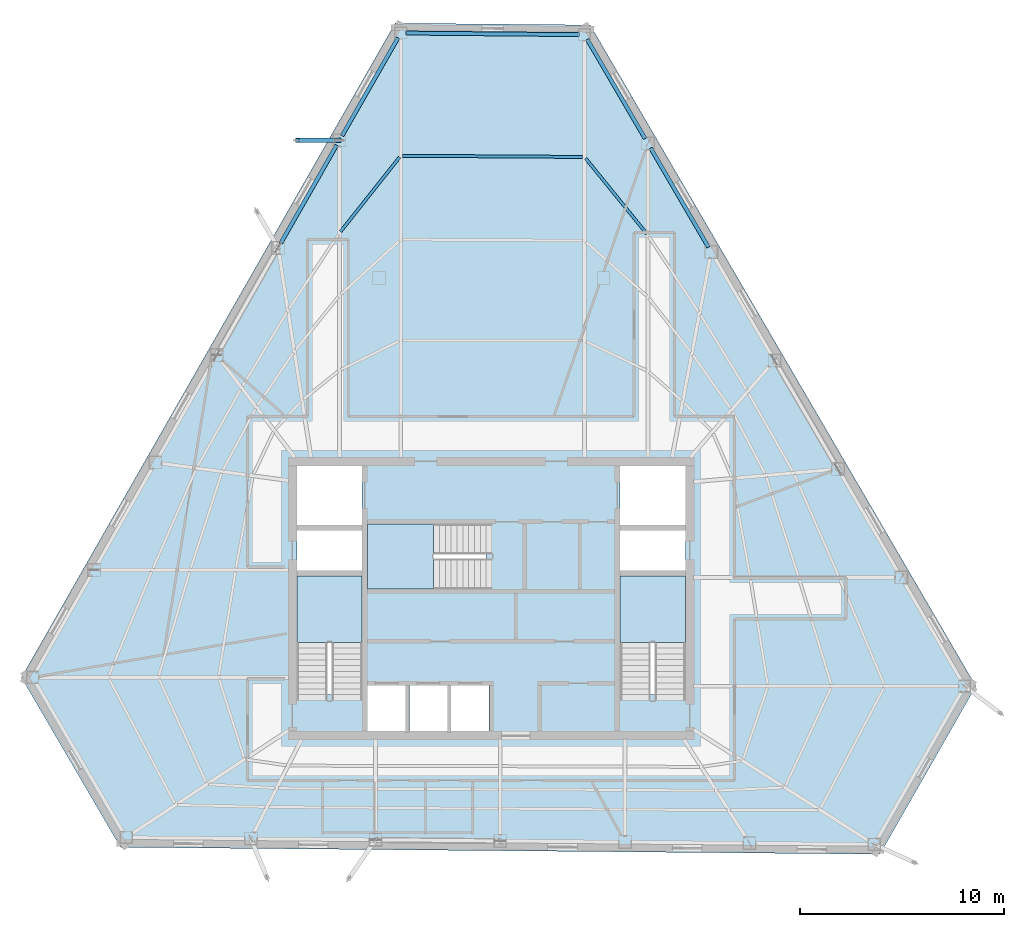
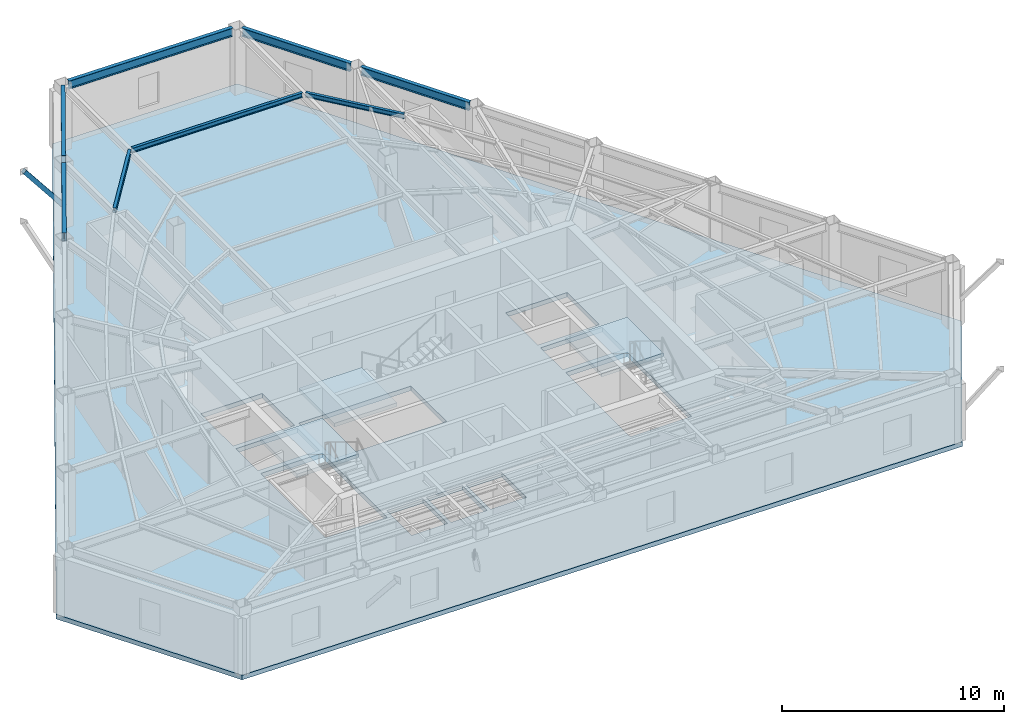
# One storey, part 3 of 10: 8 beams, 4 slabs, 1 member, 3 elements without a shape of their own.
"""IFC4 building model written with IfcOpenShell, lengths in metres."""

from ifc_helpers import new_model, si_unit, direction, frame, origin, origin_2d, place, context, subcontext, project, spatial, polyline, hollow_rectangle, i_section, outline, extrude, material, layer, layer_set, material_profile, profile_set, type_object, element, aggregate, save


model = new_model("IFC4")

# Units and contexts
model_context = context("Model", 3, precision=1e-05, world=origin(), true_north=direction((0.0, 1.0)))
body_context = subcontext(model_context, "Body", "Model", "MODEL_VIEW")
ifc_project = project(units=[si_unit("LENGTHUNIT", "METRE"), si_unit("AREAUNIT", "SQUARE_METRE"), si_unit("VOLUMEUNIT", "CUBIC_METRE"), si_unit("PLANEANGLEUNIT", "RADIAN"), si_unit("MASSUNIT", "GRAM", prefix="KILO")], contexts=[model_context])

# Site, building, storey
site_placement = place(None, origin())
site = spatial("IfcSite", under=ifc_project, at=site_placement, CompositionType="ELEMENT")
building_placement = place(site_placement, origin())
building = spatial("IfcBuilding", under=site, at=building_placement, Name="Kavelnor Concourse Tower", CompositionType="ELEMENT")
storey_placement = place(building_placement, frame((0.0, 0.0, 188.10009765625)))
storey = spatial("IfcBuildingStorey", under=building, at=storey_placement, Name="L47", CompositionType="ELEMENT", Elevation=188.10009765625)

# Beams
ifc_material_1 = material(Name="Steel Grade 350", Category="steel")
ifc_material_profile_1 = material_profile(ifc_material_1, i_section(OverallWidth=0.14599609375, OverallDepth=0.256103515625, WebThickness=0.00634765625, FlangeThickness=0.010986328125, at=origin_2d()), Name="250UB37")
ifc_profile_set_1 = profile_set([ifc_material_profile_1], Name="Steel Grade 350")
beam_type_1 = type_object("IfcBeamType", Name="BM-JOIST-250", PredefinedType="JOIST", material=ifc_profile_set_1)
beam_1_placement = place(storey_placement, frame((45.62841796875, 33.974365234375, 3.471923828125), z_axis=(-0.629580825631, 0.776934993418, 0.0), x_axis=(-0.776934993418, -0.629580825631, 0.0)))
element("IfcBeam", 1, at=beam_1_placement, inside=storey, type_object=beam_type_1, Name="L47 Secondary Composite Joist 14-3", PredefinedType="JOIST", context=body_context, shape_type="SweptSolid", body=[
    extrude(i_section(OverallWidth=0.14599609375, OverallDepth=0.256103515625, WebThickness=0.00634765625, FlangeThickness=0.010986328125, at=origin_2d()), origin(), (0.0, 0.0, 1.0), 4.75341796875),
])
beam_2_placement = place(storey_placement, frame((42.49072265625, 37.737060546875, 3.471923828125), z_axis=(-0.999978165129, 0.006608272451, 0.0), x_axis=(-0.006608272451, -0.999978165129, 0.0)))
element("IfcBeam", 2, at=beam_2_placement, inside=storey, type_object=beam_type_1, Name="L47 Secondary Composite Joist 15-3", PredefinedType="JOIST", context=body_context, shape_type="SweptSolid", body=[
    extrude(i_section(OverallWidth=0.14599609375, OverallDepth=0.256103515625, WebThickness=0.00634765625, FlangeThickness=0.010986328125, at=origin_2d()), origin(), (0.0, 0.0, 1.0), 8.829833984375),
])
beam_3_placement = place(storey_placement, frame((33.516845703125, 37.726318359375, 3.471923828125), z_axis=(-0.6214945386, -0.783418495116, 0.0), x_axis=(0.783418495116, -0.6214945386, 0.0)))
element("IfcBeam", 3, at=beam_3_placement, inside=storey, type_object=beam_type_1, Name="L47 Secondary Composite Joist 16-3", PredefinedType="JOIST", context=body_context, shape_type="SweptSolid", body=[
    extrude(i_section(OverallWidth=0.14599609375, OverallDepth=0.256103515625, WebThickness=0.00634765625, FlangeThickness=0.010986328125, at=origin_2d()), origin(), (0.0, 0.0, 1.0), 4.658935546875),
])
ifc_material_profile_2 = material_profile(ifc_material_1, i_section(OverallWidth=0.19091796875, OverallDepth=0.4599609375, WebThickness=0.010009765625, FlangeThickness=0.01611328125, at=origin_2d()), Name="460UB82")
ifc_profile_set_2 = profile_set([ifc_material_profile_2], Name="Steel Grade 350")
beam_type_2 = type_object("IfcBeamType", Name="BM-SPANDREL-Z3", PredefinedType="SPANDREL", material=ifc_profile_set_2)
beam_4_placement = place(storey_placement, frame((33.44091796875, 43.579833984375, 3.369873046875), z_axis=(-0.496020090717, -0.868311044272, 0.0), x_axis=(0.868311044272, -0.496020090717, 0.0)))
element("IfcBeam", 4, at=beam_4_placement, inside=storey, type_object=beam_type_2, Name="L47 Perimeter Tube Spandrel Beam F0-B0", PredefinedType="SPANDREL", context=body_context, shape_type="SweptSolid", body=[
    extrude(i_section(OverallWidth=0.19091796875, OverallDepth=0.4599609375, WebThickness=0.010009765625, FlangeThickness=0.01611328125, at=origin_2d()), origin(), (0.0, 0.0, 1.0), 5.53076171875),
])
beam_5_placement = place(storey_placement, frame((30.4345703125, 38.317138671875, 3.369873046875), z_axis=(-0.495967797623, -0.868340914457, 0.0), x_axis=(0.868340914457, -0.495967797623, 0.0)))
element("IfcBeam", 5, at=beam_5_placement, inside=storey, type_object=beam_type_2, Name="L47 Perimeter Tube Spandrel Beam F0-B1", PredefinedType="SPANDREL", context=body_context, shape_type="SweptSolid", body=[
    extrude(i_section(OverallWidth=0.19091796875, OverallDepth=0.4599609375, WebThickness=0.010009765625, FlangeThickness=0.01611328125, at=origin_2d()), origin(), (0.0, 0.0, 1.0), 5.531005859375),
])
beam_6_placement = place(storey_placement, frame((42.314697265625, 43.729736328125, 3.369873046875), z_axis=(-0.99995780467, 0.009186342002, 0.0), x_axis=(-0.009186342002, -0.99995780467, 0.0)))
element("IfcBeam", 6, at=beam_6_placement, inside=storey, type_object=beam_type_2, Name="L47 Chamfer Facet Spandrel Beam C0", PredefinedType="SPANDREL", context=body_context, shape_type="SweptSolid", body=[
    extrude(i_section(OverallWidth=0.19091796875, OverallDepth=0.4599609375, WebThickness=0.010009765625, FlangeThickness=0.01611328125, at=origin_2d()), origin(), (0.0, 0.0, 1.0), 8.477783203125),
])
for number, where, z_axis, x_axis, name in (
    (7, (48.655517578125, 33.3134765625, 3.369873046875), (-0.503949202523, 0.863733292907, 0.0), (-0.863733292907, -0.503949202523, 0.0), "L47 Perimeter Tube Spandrel Beam F2-B4"),
    (8, (45.55078125, 38.635009765625, 3.369873046875), (-0.503949202523, 0.863733292907, 0.0), (-0.863733292907, -0.503949202523, 0.0), "L47 Perimeter Tube Spandrel Beam F2-B5"),
):
    element("IfcBeam", number, at=place(storey_placement, frame(where, z_axis=z_axis, x_axis=x_axis)), inside=storey, type_object=beam_type_2, Name=name, PredefinedType="SPANDREL", context=body_context, shape_type="SweptSolid", body=[
        extrude(i_section(OverallWidth=0.19091796875, OverallDepth=0.4599609375, WebThickness=0.010009765625, FlangeThickness=0.01611328125, at=origin_2d()), origin(), (0.0, 0.0, 1.0), 5.630859375),
    ])

# Member
ifc_material_profile_3 = material_profile(ifc_material_1, hollow_rectangle(XDim=0.219970703125, YDim=0.219970703125, WallThickness=0.013916015625, at=origin_2d()), Name="SHS 220x220x14")
ifc_profile_set_3 = profile_set([ifc_material_profile_3], Name="Steel Grade 350")
member_type = type_object("IfcMemberType", Name="MBR-BALC-STRUT-220", PredefinedType="STRUT", material=ifc_profile_set_3)
member_placement = place(storey_placement, frame((30.56591796875, 38.547119140625, 1.0498046875), z_axis=(-0.621059222028, 0.001909821381, 0.783761312719), x_axis=(-0.00307508895, -0.999995271903, 0.0)))
element("IfcMember", 9, at=member_placement, inside=storey, type_object=member_type, Name="L47 Tree Balcony Raking Knee Strut 1-A", PredefinedType="STRUT", context=body_context, shape_type="SweptSolid", body=[
    extrude(hollow_rectangle(XDim=0.219970703125, YDim=0.219970703125, WallThickness=0.013916015625, at=origin_2d()), origin(), (0.0, 0.0, 1.0), 3.32373046875),
])

# Stair, slab
ifc_material_2 = material(Name="Concrete C40/50", Category="concrete")
stair_type = type_object("IfcStairType", Name="STR-CORE-1500", PredefinedType="HALF_TURN_STAIR", material=ifc_material_2)
stair_1_placement = place(storey_placement, origin())
stair_1 = element("IfcStair", 10, at=stair_1_placement, inside=storey, type_object=stair_type, Name="L47 ST1", PredefinedType="HALF_TURN_STAIR")
ifc_layer_1 = layer(ifc_material_2, 0.199951171875, Name="Concrete C40/50")
ifc_layer_set_1 = layer_set([ifc_layer_1], Name="Concrete C40/50")
slab_type_1 = type_object("IfcSlabType", Name="SLB-LANDING-200", PredefinedType="LANDING", material=ifc_layer_set_1)
slab_1_placement = place(storey_placement, frame((0.0, 0.0, 1.724853515625)))
slab_1 = element("IfcSlab", 11, at=slab_1_placement, type_object=slab_type_1, Name="ST1 landing 1", PredefinedType="LANDING", context=body_context, shape_type="SweptSolid", body=[
    extrude(outline(polyline([(31.679931640625, 13.949951171875), (31.679931640625, 17.199951171875), (28.47998046875, 17.199951171875), (28.47998046875, 13.949951171875), (31.679931640625, 13.949951171875)])), origin(), (0.0, 0.0, 1.0), 0.199951171875),
])
aggregate(stair_1, [slab_1])

stair_2_placement = place(storey_placement, origin())
stair_2 = element("IfcStair", 12, at=stair_2_placement, inside=storey, type_object=stair_type, Name="L47 ST2", PredefinedType="HALF_TURN_STAIR")
slab_2_placement = place(storey_placement, frame((0.0, 0.0, 1.724853515625)))
slab_2 = element("IfcSlab", 13, at=slab_2_placement, type_object=slab_type_1, Name="ST2 landing 1", PredefinedType="LANDING", context=body_context, shape_type="SweptSolid", body=[
    extrude(outline(polyline([(47.52001953125, 13.949951171875), (47.52001953125, 17.199951171875), (44.320068359375, 17.199951171875), (44.320068359375, 13.949951171875), (47.52001953125, 13.949951171875)])), origin(), (0.0, 0.0, 1.0), 0.199951171875),
])
aggregate(stair_2, [slab_2])

stair_3_placement = place(storey_placement, origin())
stair_3 = element("IfcStair", 14, at=stair_3_placement, inside=storey, type_object=stair_type, Name="L47 ST3", PredefinedType="HALF_TURN_STAIR")
slab_3_placement = place(storey_placement, frame((0.0, 0.0, 1.724853515625)))
slab_3 = element("IfcSlab", 15, at=slab_3_placement, type_object=slab_type_1, Name="ST3 landing 1", PredefinedType="LANDING", context=body_context, shape_type="SweptSolid", body=[
    extrude(outline(polyline([(35.18994140625, 19.760009765625), (31.93994140625, 19.760009765625), (31.93994140625, 16.56005859375), (35.18994140625, 16.56005859375), (35.18994140625, 19.760009765625)])), origin(), (0.0, 0.0, 1.0), 0.199951171875),
])
aggregate(stair_3, [slab_3])

# Slab
ifc_layer_2 = layer(ifc_material_2, 0.25, Name="Concrete C40/50")
ifc_layer_set_2 = layer_set([ifc_layer_2], Name="Concrete C40/50")
slab_type_2 = type_object("IfcSlabType", Name="SLB-OFFICE-250", PredefinedType="FLOOR", material=ifc_layer_set_2)
slab_4_placement = place(storey_placement, frame((0.0, 0.0, -0.25)))
element("IfcSlab", 16, at=slab_4_placement, inside=storey, type_object=slab_type_2, Name="L47 Composite Structural Floor Slab", PredefinedType="FLOOR", context=body_context, shape_type="SweptSolid", body=[
    extrude(outline(polyline([(42.856689453125, 44.204833984375), (33.295166015625, 44.29248046875), (14.98095703125, 12.23046875), (19.837646484375, 3.906005859375), (57.056884765625, 3.564697265625), (61.761962890625, 11.801513671875), (42.856689453125, 44.204833984375)]), holes=[polyline([(28.47998046875, 11.3798828125), (31.679931640625, 11.3798828125), (31.679931640625, 17.199951171875), (28.47998046875, 17.199951171875), (28.47998046875, 11.3798828125)]), polyline([(44.320068359375, 11.3798828125), (47.52001953125, 11.3798828125), (47.52001953125, 17.199951171875), (44.320068359375, 17.199951171875), (44.320068359375, 11.3798828125)]), polyline([(31.93994140625, 16.56005859375), (37.760009765625, 16.56005859375), (37.760009765625, 19.760009765625), (31.93994140625, 19.760009765625), (31.93994140625, 16.56005859375)]), polyline([(28.47998046875, 19.699951171875), (31.679931640625, 19.699951171875), (31.679931640625, 22.60009765625), (28.47998046875, 22.60009765625), (28.47998046875, 19.699951171875)]), polyline([(44.320068359375, 19.699951171875), (47.52001953125, 19.699951171875), (47.52001953125, 22.60009765625), (44.320068359375, 22.60009765625), (44.320068359375, 19.699951171875)]), polyline([(31.93994140625, 9.60009765625), (33.81005859375, 9.60009765625), (33.81005859375, 11.840087890625), (31.93994140625, 11.840087890625), (31.93994140625, 9.60009765625)]), polyline([(33.989990234375, 9.60009765625), (35.860107421875, 9.60009765625), (35.860107421875, 11.840087890625), (33.989990234375, 11.840087890625), (33.989990234375, 9.60009765625)]), polyline([(36.0400390625, 9.60009765625), (37.909912109375, 9.60009765625), (37.909912109375, 11.840087890625), (36.0400390625, 11.840087890625), (36.0400390625, 9.60009765625)]), polyline([(28.47998046875, 17.4599609375), (31.679931640625, 17.4599609375), (31.679931640625, 19.43994140625), (28.47998046875, 19.43994140625), (28.47998046875, 17.4599609375)]), polyline([(44.320068359375, 17.4599609375), (47.52001953125, 17.4599609375), (47.52001953125, 19.43994140625), (44.320068359375, 19.43994140625), (44.320068359375, 17.4599609375)])]), origin(), (0.0, 0.0, 1.0), 0.25),
])

save(model, "model.ifc")
